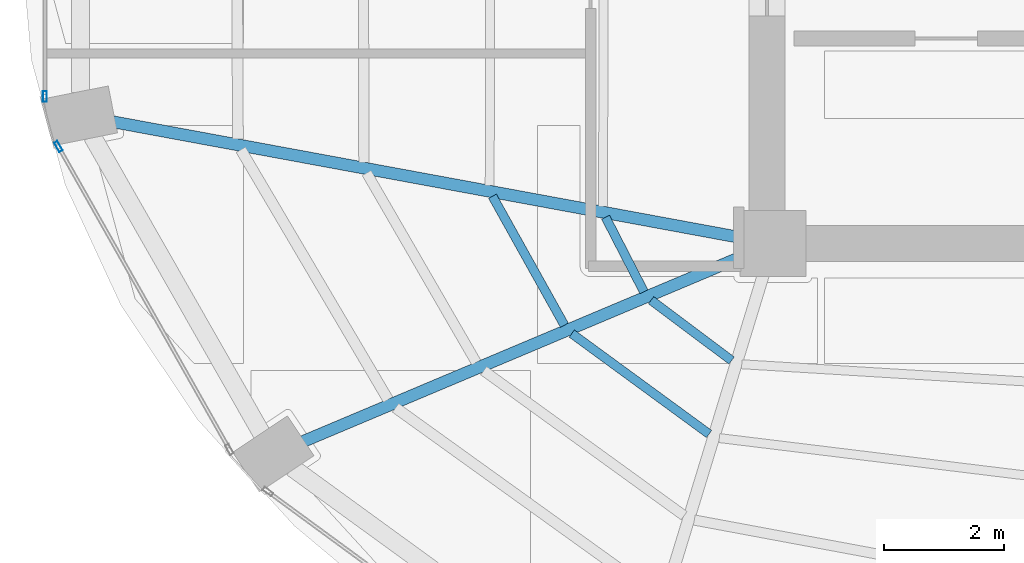
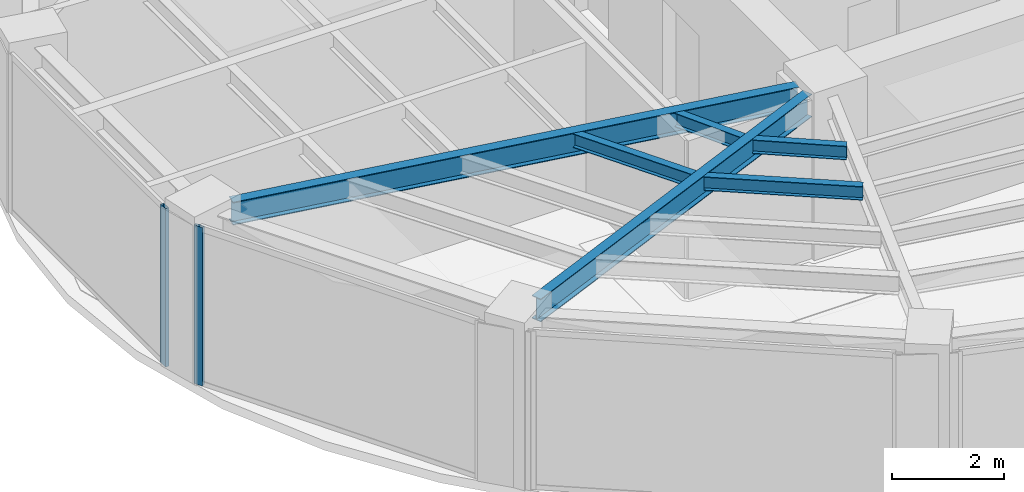
# One storey, part 4 of 23: 6 beams, 2 members, 2 elements without a shape of their own.
"""IFC4 building model written with IfcOpenShell, lengths in metres."""

from ifc_helpers import new_model, si_unit, direction, frame, origin, origin_2d, place, context, subcontext, project, spatial, hollow_rectangle, i_section, extrude, material, layer, layer_set, material_profile, profile_set, type_object, element, aggregate, save


model = new_model("IFC4")

# Units and contexts
model_context = context("Model", 3, precision=1e-05, world=origin(), true_north=direction((0.0, 1.0)))
body_context = subcontext(model_context, "Body", "Model", "MODEL_VIEW")
ifc_project = project(units=[si_unit("LENGTHUNIT", "METRE"), si_unit("AREAUNIT", "SQUARE_METRE"), si_unit("VOLUMEUNIT", "CUBIC_METRE"), si_unit("PLANEANGLEUNIT", "RADIAN"), si_unit("MASSUNIT", "GRAM", prefix="KILO")], contexts=[model_context])

# Site, building, storey
site_placement = place(None, origin())
site = spatial("IfcSite", under=ifc_project, at=site_placement, CompositionType="ELEMENT")
building_placement = place(site_placement, origin())
building = spatial("IfcBuilding", under=site, at=building_placement, Name="Lazwardi Medical Tower", CompositionType="ELEMENT")
storey_placement = place(building_placement, frame((0.0, 0.0, 209.424072265625)))
storey = spatial("IfcBuildingStorey", under=building, at=storey_placement, Name="L54", CompositionType="ELEMENT", Elevation=209.424072265625)

# Beams
ifc_material_1 = material(Name="Steel S355", Category="steel")
ifc_material_profile_1 = material_profile(ifc_material_1, i_section(OverallWidth=0.199951171875, OverallDepth=0.5, WebThickness=0.01025390625, FlangeThickness=0.01611328125, at=origin_2d()), Name="IPE 500")
ifc_profile_set_1 = profile_set([ifc_material_profile_1], Name="Steel S355")
beam_type_1 = type_object("IfcBeamType", Name="BM-RG-W3", PredefinedType="BEAM", material=ifc_profile_set_1)
beam_1_placement = place(storey_placement, frame((15.341064453125, 22.43994140625, 3.197998046875), z_axis=(0.983409341459, -0.181400295288, 0.0), x_axis=(0.181400295288, 0.983409341459, 0.0)))
element("IfcBeam", 1, at=beam_1_placement, inside=storey, type_object=beam_type_1, Name="Radial girder RG-04 R13 L54", PredefinedType="BEAM", context=body_context, shape_type="SweptSolid", body=[
    extrude(i_section(OverallWidth=0.199951171875, OverallDepth=0.5, WebThickness=0.01025390625, FlangeThickness=0.01611328125, at=origin_2d()), origin(), (0.0, 0.0, 1.0), 10.71044921875),
])
beam_2_placement = place(storey_placement, frame((18.533203125, 17.085205078125, 3.197998046875), z_axis=(0.921526791352, 0.388314785735, 0.0), x_axis=(-0.388314785735, 0.921526791352, 0.0)))
element("IfcBeam", 2, at=beam_2_placement, inside=storey, type_object=beam_type_1, Name="Radial girder RG-04 R14 L54", PredefinedType="BEAM", context=body_context, shape_type="SweptSolid", body=[
    extrude(i_section(OverallWidth=0.199951171875, OverallDepth=0.5, WebThickness=0.01025390625, FlangeThickness=0.01611328125, at=origin_2d()), origin(), (0.0, 0.0, 1.0), 8.001708984375),
])
ifc_material_profile_2 = material_profile(ifc_material_1, i_section(OverallWidth=0.14990234375, OverallDepth=0.300048828125, WebThickness=0.007080078125, FlangeThickness=0.0107421875, at=origin_2d()), Name="IPE 300")
ifc_profile_set_2 = profile_set([ifc_material_profile_2], Name="Steel S355")
beam_type_2 = type_object("IfcBeamType", Name="BM-SJ-03", PredefinedType="JOIST", material=ifc_profile_set_2)
beam_3_placement = place(storey_placement, frame((21.70703125, 21.19140625, 3.2978515625), z_axis=(0.487092942089, -0.873350139272, 0.0), x_axis=(0.873350139272, 0.487092942089, 0.0)))
element("IfcBeam", 3, at=beam_3_placement, inside=storey, type_object=beam_type_2, Name="Secondary joist SJ-03 R3 B13 L54", PredefinedType="JOIST", context=body_context, shape_type="SweptSolid", body=[
    extrude(i_section(OverallWidth=0.14990234375, OverallDepth=0.300048828125, WebThickness=0.007080078125, FlangeThickness=0.0107421875, at=origin_2d()), origin(), (0.0, 0.0, 1.0), 2.471923828125),
])
beam_4_placement = place(storey_placement, frame((23.0341796875, 18.893310546875, 3.2978515625), z_axis=(0.80703431267, -0.59050454543, 0.0), x_axis=(0.59050454543, 0.80703431267, 0.0)))
element("IfcBeam", 4, at=beam_4_placement, inside=storey, type_object=beam_type_2, Name="Secondary joist SJ-03 R3 B14 L54", PredefinedType="JOIST", context=body_context, shape_type="SweptSolid", body=[
    extrude(i_section(OverallWidth=0.14990234375, OverallDepth=0.300048828125, WebThickness=0.007080078125, FlangeThickness=0.0107421875, at=origin_2d()), origin(), (0.0, 0.0, 1.0), 2.846923828125),
])
beam_5_placement = place(storey_placement, frame((23.60009765625, 20.840087890625, 3.2978515625), z_axis=(0.457285056668, -0.889320176848, 0.0), x_axis=(0.889320176848, 0.457285056668, 0.0)))
element("IfcBeam", 5, at=beam_5_placement, inside=storey, type_object=beam_type_2, Name="Secondary joist SJ-03 R4 B13 L54", PredefinedType="JOIST", context=body_context, shape_type="SweptSolid", body=[
    extrude(i_section(OverallWidth=0.14990234375, OverallDepth=0.300048828125, WebThickness=0.007080078125, FlangeThickness=0.0107421875, at=origin_2d()), origin(), (0.0, 0.0, 1.0), 1.402099609375),
])
beam_6_placement = place(storey_placement, frame((24.36083984375, 19.451904296875, 3.2978515625), z_axis=(0.800365301971, -0.599512621553, 0.0), x_axis=(0.599512621553, 0.800365301971, 0.0)))
element("IfcBeam", 6, at=beam_6_placement, inside=storey, type_object=beam_type_2, Name="Secondary joist SJ-03 R4 B14 L54", PredefinedType="JOIST", context=body_context, shape_type="SweptSolid", body=[
    extrude(i_section(OverallWidth=0.14990234375, OverallDepth=0.300048828125, WebThickness=0.007080078125, FlangeThickness=0.0107421875, at=origin_2d()), origin(), (0.0, 0.0, 1.0), 1.68359375),
])

# Curtain wall, member
ifc_material_2 = material(Name="Anodised bronze aluminium and solar control glazing", Category="aluminium")
ifc_layer = layer(ifc_material_2, 0.18994140625)
ifc_layer_set = layer_set([ifc_layer], Name="Anodised bronze aluminium and solar control glazing")
curtain_wall_type = type_object("IfcCurtainWallType", Name="CW-SYS-04", PredefinedType="NOTDEFINED", material=ifc_layer_set)
curtain_wall_1_placement = place(storey_placement, origin())
curtain_wall_1 = element("IfcCurtainWall", 7, at=curtain_wall_1_placement, inside=storey, type_object=curtain_wall_type, Name="L54 Unitised bronze curtain wall CW-04", PredefinedType="NOTDEFINED")
ifc_material_3 = material(Name="Anodised bronze aluminium", Category="aluminium")
ifc_material_profile_3 = material_profile(ifc_material_3, hollow_rectangle(XDim=0.06494140625, YDim=0.179931640625, WallThickness=0.00390625, at=origin_2d()), Name="ALU-MULLION 180x65x4")
ifc_profile_set_3 = profile_set([ifc_material_profile_3], Name="Anodised bronze aluminium")
member_type = type_object("IfcMemberType", Name="CW-MUL-03", PredefinedType="MULLION", material=ifc_profile_set_3)
member_1_placement = place(storey_placement, frame((14.2158203125, 22.859619140625, 0.0), z_axis=(0.0, 0.0, 1.0), x_axis=(1.0, 0.0, 0.0)))
member_1 = element("IfcMember", 8, at=member_1_placement, type_object=member_type, Name="CW-04 mullion 2", PredefinedType="MULLION", context=body_context, shape_type="SweptSolid", body=[
    extrude(hollow_rectangle(XDim=0.06494140625, YDim=0.179931640625, WallThickness=0.00390625, at=origin_2d()), origin(), (0.0, 0.0, 1.0), 3.447998046875),
])
aggregate(curtain_wall_1, [member_1])

curtain_wall_2_placement = place(storey_placement, origin())
curtain_wall_2 = element("IfcCurtainWall", 9, at=curtain_wall_2_placement, inside=storey, type_object=curtain_wall_type, Name="L54 Unitised bronze curtain wall CW-04", PredefinedType="NOTDEFINED")
member_2_placement = place(storey_placement, frame((14.442626953125, 22.021728515625, 0.0), z_axis=(0.0, 0.0, 1.0), x_axis=(0.870651436011, 0.491900474661, 0.0)))
member_2 = element("IfcMember", 10, at=member_2_placement, type_object=member_type, Name="CW-04 mullion 1", PredefinedType="MULLION", context=body_context, shape_type="SweptSolid", body=[
    extrude(hollow_rectangle(XDim=0.06494140625, YDim=0.179931640625, WallThickness=0.00390625, at=origin_2d()), origin(), (0.0, 0.0, 1.0), 3.447998046875),
])
aggregate(curtain_wall_2, [member_2])

save(model, "model.ifc")
